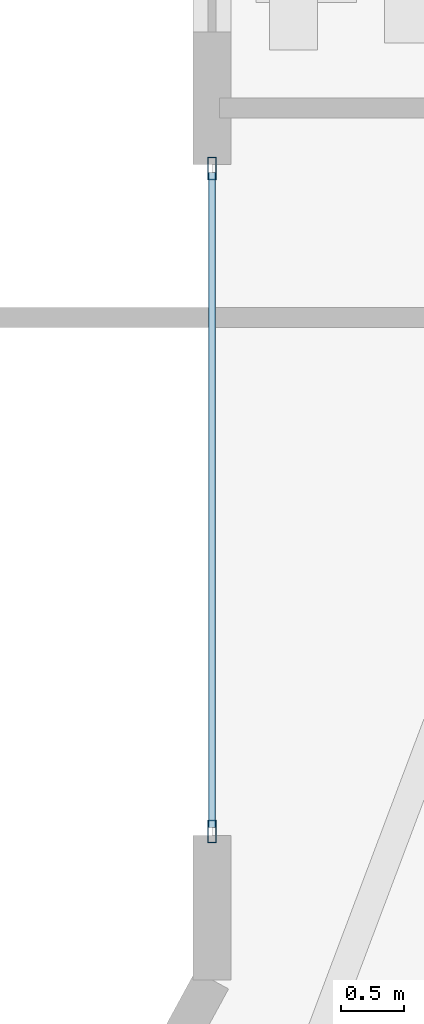
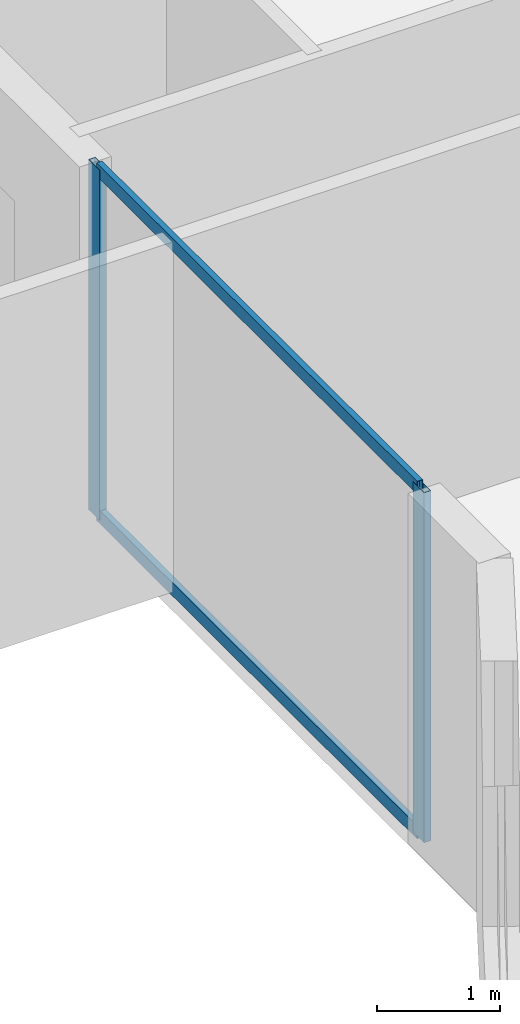
# One storey, part 6 of 26: 4 members, 1 element without a shape of its own.
"""IFC4 building model written with IfcOpenShell, lengths in metres."""

import ifcopenshell
import ifcopenshell.guid

model = None  # the IFC model being written
_history = None  # IfcOwnerHistory: only IFC2X3 demands one
_inside = {}  # id of a spatial element -> (the spatial element, [elements in it])
_under = {}  # id of a project, library or spatial element -> (it, [spatial elements below it])
_declared = {}  # id of a project -> (the project, [libraries it declares])
_typed = {}  # id of a type object -> (the type object, [elements of that type])
_made_of = {}  # id of a material, layer set ... -> (it, [elements and type objects made of it])


def new_model(schema):
    """Start an empty IFC model of exactly this schema.

    Asked for "IFC4X3", IfcOpenShell would pick the latest addendum, in which some entities
    have other attributes; the version numbers below select the first issue.
    IFC2X3 requires an IfcOwnerHistory on every rooted entity: one is made here for all.
    """
    global model, _history
    if schema == "IFC4X3":
        model = ifcopenshell.file(schema_version=(4, 3, 0, 0))
    else:
        model = ifcopenshell.file(schema=schema)
    _inside.clear()
    _under.clear()
    _declared.clear()
    _typed.clear()
    _made_of.clear()
    _history = None
    if model.schema == "IFC2X3":
        org = make("IfcOrganization", Name="unknown")
        user = make(
            "IfcPersonAndOrganization",
            ThePerson=make("IfcPerson", FamilyName="unknown"),
            TheOrganization=org,
        )
        app = make(
            "IfcApplication",
            ApplicationDeveloper=org,
            Version="unknown",
            ApplicationFullName="unknown",
            ApplicationIdentifier="unknown",
        )
        _history = make(
            "IfcOwnerHistory",
            OwningUser=user,
            OwningApplication=app,
            ChangeAction="ADDED",
            CreationDate=0,
        )
    return model


def make(cls, **values):
    """One entity of the class cls with the attributes given. An attribute that is None is left unset."""
    return model.create_entity(
        cls, **{name: value for name, value in values.items() if value is not None}
    )


def rooted(cls, **values):
    """An entity with a GlobalId (a new one), such as an element, a storey or a relation."""
    return make(cls, GlobalId=ifcopenshell.guid.new(), OwnerHistory=_history, **values)


def si_unit(unit_type, name, prefix=None):
    """IfcSIUnit, for example si_unit("LENGTHUNIT", "METRE", prefix="MILLI")."""
    return make("IfcSIUnit", UnitType=unit_type, Prefix=prefix, Name=name)


def assignment(units):
    """IfcUnitAssignment: the units of a project."""
    return None if units is None else make("IfcUnitAssignment", Units=units)


def point(xyz):
    """IfcCartesianPoint."""
    return None if xyz is None else make("IfcCartesianPoint", Coordinates=xyz)


def direction(xyz):
    """IfcDirection."""
    return None if xyz is None else make("IfcDirection", DirectionRatios=xyz)


def frame(location, z_axis=None, x_axis=None):
    """IfcAxis2Placement3D, a coordinate frame: its origin and axes. An axis left out is left unset."""
    return make(
        "IfcAxis2Placement3D",
        Location=point(location),
        Axis=direction(z_axis),
        RefDirection=direction(x_axis),
    )


def frame_2d(location, x_axis=None):
    """IfcAxis2Placement2D, a coordinate frame in the plane: its origin and x axis."""
    return make(
        "IfcAxis2Placement2D", Location=point(location), RefDirection=direction(x_axis)
    )


def origin():
    """The frame at (0, 0, 0) with its axes left unset."""
    return frame((0.0, 0.0, 0.0))


def origin_2d():
    """The frame at (0, 0) in the plane with its x axis left unset."""
    return frame_2d((0.0, 0.0))


def place(relative_to, where):
    """IfcLocalPlacement: puts the frame where relative to a parent placement (None: the world)."""
    return make(
        "IfcLocalPlacement", PlacementRelTo=relative_to, RelativePlacement=where
    )


def context(
    kind, dimensions, precision=None, world=None, true_north=None, identifier=None
):
    """IfcGeometricRepresentationContext, for example the 3D "Model" context."""
    return make(
        "IfcGeometricRepresentationContext",
        ContextIdentifier=identifier,
        ContextType=kind,
        CoordinateSpaceDimension=dimensions,
        Precision=precision,
        WorldCoordinateSystem=world,
        TrueNorth=true_north,
    )


def subcontext(parent, identifier, kind, view, scale=None):
    """IfcGeometricRepresentationSubContext, for example "Body" below "Model"."""
    return make(
        "IfcGeometricRepresentationSubContext",
        ContextIdentifier=identifier,
        ContextType=kind,
        ParentContext=parent,
        TargetScale=scale,
        TargetView=view,
    )


def project(units=None, contexts=None):
    """IfcProject with its units and contexts."""
    return rooted(
        "IfcProject",
        Name="project",
        RepresentationContexts=contexts,
        UnitsInContext=assignment(units),
    )


def spatial(cls, under=None, at=None, **own):
    """A site, building, storey or space (cls), placed at a placement, below another one or the project."""
    s = rooted(cls, ObjectPlacement=at, **own)
    if under is not None:
        _under.setdefault(under.id(), (under, []))[1].append(s)
    return s


def profile(cls, at=None, kind="AREA", **sizes):
    """A parametric profile (cls). Its sizes go by their IFC names, for example OverallWidth=200.0."""
    return make(cls, ProfileType=kind, Position=at, **sizes)


def hollow_rectangle(**sizes):
    """IfcRectangleHollowProfileDef."""
    return profile("IfcRectangleHollowProfileDef", **sizes)


def extrude(swept, where, along, depth):
    """IfcExtrudedAreaSolid: the profile swept, set in the frame where, extruded along a direction by depth."""
    return make(
        "IfcExtrudedAreaSolid",
        SweptArea=swept,
        Position=where,
        ExtrudedDirection=direction(along),
        Depth=depth,
    )


def shape(context_of_items, identifier, shape_type, items):
    """IfcShapeRepresentation: the items that make up one representation, for example the "Body"."""
    return make(
        "IfcShapeRepresentation",
        ContextOfItems=context_of_items,
        RepresentationIdentifier=identifier,
        RepresentationType=shape_type,
        Items=items,
    )


def material(Name=None, Category=None):
    """IfcMaterial."""
    return make("IfcMaterial", Name=Name, Category=Category)


def layer(
    of_material, thickness, ventilated=None, Name=None, Category=None, Priority=None
):
    """IfcMaterialLayer: one layer of a wall or slab, of a material (None: an air gap)."""
    return make(
        "IfcMaterialLayer",
        Material=of_material,
        LayerThickness=thickness,
        IsVentilated=ventilated,
        Name=Name,
        Category=Category,
        Priority=Priority,
    )


def layer_set(layers, Name=None):
    """IfcMaterialLayerSet."""
    return make("IfcMaterialLayerSet", MaterialLayers=layers, LayerSetName=Name)


def material_profile(
    of_material, cross_section, Name=None, Category=None, Priority=None
):
    """IfcMaterialProfile: a cross section and its material."""
    return make(
        "IfcMaterialProfile",
        Name=Name,
        Material=of_material,
        Profile=cross_section,
        Priority=Priority,
        Category=Category,
    )


def profile_set(profiles, Name=None, composite=None):
    """IfcMaterialProfileSet."""
    return make(
        "IfcMaterialProfileSet",
        Name=Name,
        MaterialProfiles=profiles,
        CompositeProfile=composite,
    )


def made_of(thing, what):
    """Note that an element or type object is made of a material, layer set ...; save() writes the relation."""
    if what is not None:
        _made_of.setdefault(what.id(), (what, []))[1].append(thing)
    return thing


def type_object(cls, material=None, **own):
    """A type object (cls), such as IfcWallType, which elements share."""
    return made_of(rooted(cls, **own), material)


def element(
    cls,
    number,
    at=None,
    inside=None,
    cuts=None,
    type_object=None,
    material=None,
    context=None,
    identifier="Body",
    shape_type=None,
    held_by="IfcProductDefinitionShape",
    body=None,
    shapes=None,
    **own,
):
    """One element of the class cls, such as IfcWall. Its Tag is "e" and its number.

    at: its placement. inside: the storey or other place that contains it. cuts: it is an
    opening in that element (IfcRelVoidsElement). A single representation is given by context,
    identifier, shape_type and body (its items); several are given by shapes. held_by: the class
    of the entity that holds the representations. save() writes the other relations.
    """
    e = rooted(cls, Tag="e%d" % number, ObjectPlacement=at, **own)
    if body is not None:
        shapes = [shape(context, identifier, shape_type, body)]
    if shapes is not None:
        e.Representation = make(held_by, Representations=shapes)
    if inside is not None:
        _inside.setdefault(inside.id(), (inside, []))[1].append(e)
    if cuts is not None:
        rooted(
            "IfcRelVoidsElement", RelatingBuildingElement=cuts, RelatedOpeningElement=e
        )
    if type_object is not None:
        _typed.setdefault(type_object.id(), (type_object, []))[1].append(e)
    return made_of(e, material)


def aggregate(whole, parts):
    """IfcRelAggregates: a whole, such as a stair, and the parts it consists of."""
    return rooted("IfcRelAggregates", RelatingObject=whole, RelatedObjects=parts)


def save(model, path):
    """Write the relations noted so far, then the file.

    IfcRelAggregates (storeys below a building ...), IfcRelContainedInSpatialStructure (elements
    in a storey), IfcRelDefinesByType, IfcRelAssociatesMaterial and IfcRelDeclares: one each for
    every whole, place, type object, material and project.
    """
    for whole, parts in _under.values():
        aggregate(whole, parts)
    for where, things in _inside.values():
        rooted(
            "IfcRelContainedInSpatialStructure",
            RelatedElements=things,
            RelatingStructure=where,
        )
    for kind, things in _typed.values():
        rooted("IfcRelDefinesByType", RelatedObjects=things, RelatingType=kind)
    for what, things in _made_of.values():
        rooted("IfcRelAssociatesMaterial", RelatedObjects=things, RelatingMaterial=what)
    for by, libraries in _declared.values():
        rooted("IfcRelDeclares", RelatingContext=by, RelatedDefinitions=libraries)
    model.write(path)


model = new_model("IFC4")

# Units and contexts
model_context = context("Model", 3, precision=1e-05, world=origin(), true_north=direction((0.0, 1.0)))
body_context = subcontext(model_context, "Body", "Model", "MODEL_VIEW")
ifc_project = project(units=[si_unit("LENGTHUNIT", "METRE"), si_unit("AREAUNIT", "SQUARE_METRE"), si_unit("VOLUMEUNIT", "CUBIC_METRE"), si_unit("PLANEANGLEUNIT", "RADIAN"), si_unit("MASSUNIT", "GRAM", prefix="KILO")], contexts=[model_context])

# Site, building, storey
site_placement = place(None, origin())
site = spatial("IfcSite", under=ifc_project, at=site_placement, CompositionType="ELEMENT")
building_placement = place(site_placement, origin())
building = spatial("IfcBuilding", under=site, at=building_placement, Name="Zuhayl Quay Hotel", CompositionType="ELEMENT")
storey_placement = place(building_placement, frame((0.0, 0.0, 254.449951171875)))
storey = spatial("IfcBuildingStorey", under=building, at=storey_placement, Name="L64", CompositionType="ELEMENT", Elevation=254.449951171875)

# Curtain wall, members
ifc_material_1 = material(Name="Anodised Aluminium 6063-T6", Category="aluminium")
ifc_layer = layer(ifc_material_1, 0.169921875, Name="Anodised Aluminium 6063-T6", Category="aluminium")
ifc_layer_set = layer_set([ifc_layer], Name="Anodised Aluminium 6063-T6")
curtain_wall_type = type_object("IfcCurtainWallType", Name="CW_SYS_Z4", PredefinedType="USERDEFINED", material=ifc_layer_set)
curtain_wall_placement = place(storey_placement, origin())
curtain_wall = element("IfcCurtainWall", 1, at=curtain_wall_placement, inside=storey, type_object=curtain_wall_type, Name="L64 Curtain Wall ENV_L64_E05_CW1", ObjectType="UNITISED CURTAIN WALL", PredefinedType="USERDEFINED")
ifc_material_2 = material(Name="Black-anodised aluminium 6063-T6", Category="aluminium")
ifc_material_profile_1 = material_profile(ifc_material_2, hollow_rectangle(XDim=0.06494140625, YDim=0.179931640625, WallThickness=0.00341796875, at=origin_2d()), Name="ALU180X65")
ifc_profile_set_1 = profile_set([ifc_material_profile_1], Name="Black-anodised aluminium 6063-T6")
member_type_1 = type_object("IfcMemberType", Name="MB_CW_MUL_180", PredefinedType="MULLION", material=ifc_profile_set_1)
member_1_placement = place(storey_placement, frame((-20.199951171875, 25.282470703125, 0.0), z_axis=(0.0, 0.0, 1.0), x_axis=(-1.0, 0.0, 0.0)))
member_1 = element("IfcMember", 2, at=member_1_placement, type_object=member_type_1, Name="CW-Z4 mullion 1", PredefinedType="MULLION", context=body_context, shape_type="SweptSolid", body=[
    extrude(hollow_rectangle(XDim=0.06494140625, YDim=0.179931640625, WallThickness=0.00341796875, at=origin_2d()), origin(), (0.0, 0.0, 1.0), 3.47998046875),
])
member_2_placement = place(storey_placement, frame((-20.199951171875, 30.5673828125, 0.0), z_axis=(0.0, 0.0, 1.0), x_axis=(-1.0, 0.0, 0.0)))
member_2 = element("IfcMember", 3, at=member_2_placement, type_object=member_type_1, Name="CW-Z4 mullion 2", PredefinedType="MULLION", context=body_context, shape_type="SweptSolid", body=[
    extrude(hollow_rectangle(XDim=0.06494140625, YDim=0.179931640625, WallThickness=0.00341796875, at=origin_2d()), origin(), (0.0, 0.0, 1.0), 3.47998046875),
])
ifc_material_profile_2 = material_profile(ifc_material_2, hollow_rectangle(XDim=0.054931640625, YDim=0.1298828125, WallThickness=0.0029296875, at=origin_2d()), Name="ALU130X55")
ifc_profile_set_2 = profile_set([ifc_material_profile_2], Name="Black-anodised aluminium 6063-T6")
member_type_2 = type_object("IfcMemberType", Name="MB_CW_TRN_130", PredefinedType="USERDEFINED", material=ifc_profile_set_2)
member_3_placement = place(storey_placement, frame((-20.199951171875, 25.31494140625, 0.027587890625), z_axis=(0.0, 1.0, 0.0), x_axis=(-1.0, 0.0, 0.0)))
member_3 = element("IfcMember", 4, at=member_3_placement, type_object=member_type_2, Name="CW-Z4 transom 1.1", ObjectType="TRANSOM", PredefinedType="USERDEFINED", context=body_context, shape_type="SweptSolid", body=[
    extrude(hollow_rectangle(XDim=0.054931640625, YDim=0.1298828125, WallThickness=0.0029296875, at=origin_2d()), origin(), (0.0, 0.0, 1.0), 5.219970703125),
])
member_4_placement = place(storey_placement, frame((-20.199951171875, 25.31494140625, 3.45263671875), z_axis=(0.0, 1.0, 0.0), x_axis=(-1.0, 0.0, 0.0)))
member_4 = element("IfcMember", 5, at=member_4_placement, type_object=member_type_2, Name="CW-Z4 transom 1.2", ObjectType="TRANSOM", PredefinedType="USERDEFINED", context=body_context, shape_type="SweptSolid", body=[
    extrude(hollow_rectangle(XDim=0.054931640625, YDim=0.1298828125, WallThickness=0.0029296875, at=origin_2d()), origin(), (0.0, 0.0, 1.0), 5.219970703125),
])
aggregate(curtain_wall, [member_1, member_2, member_3, member_4])

save(model, "model.ifc")
